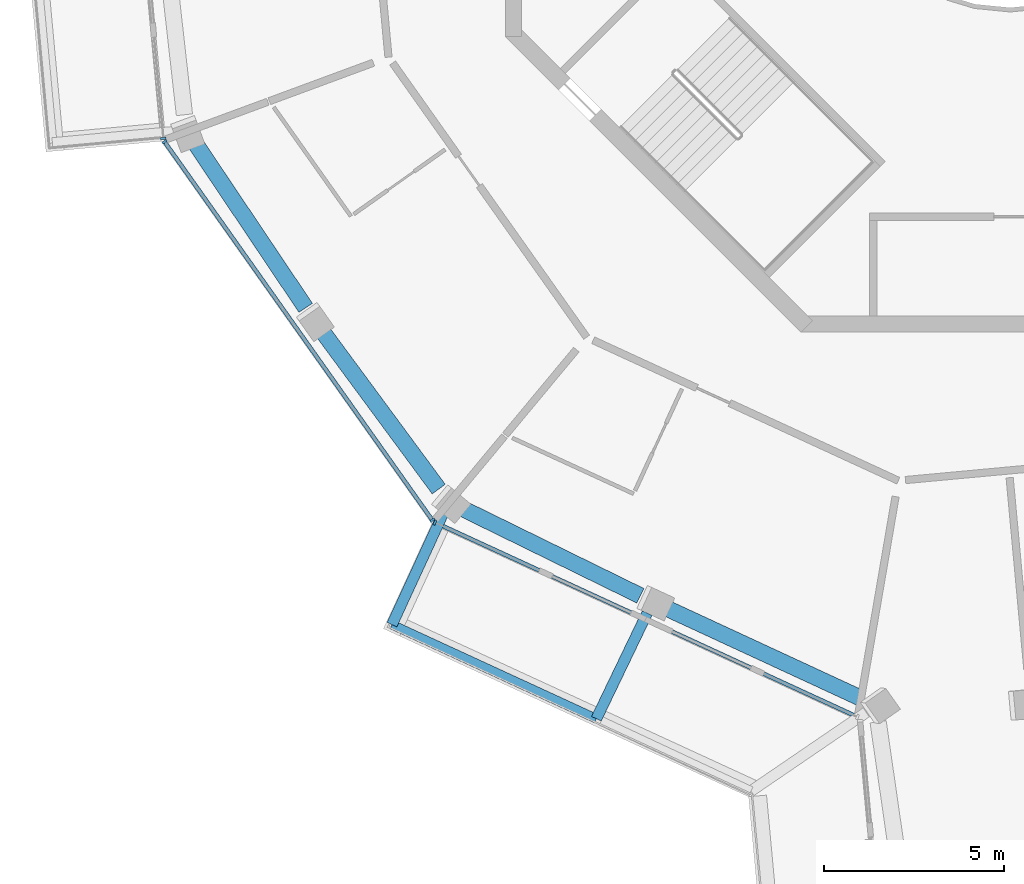
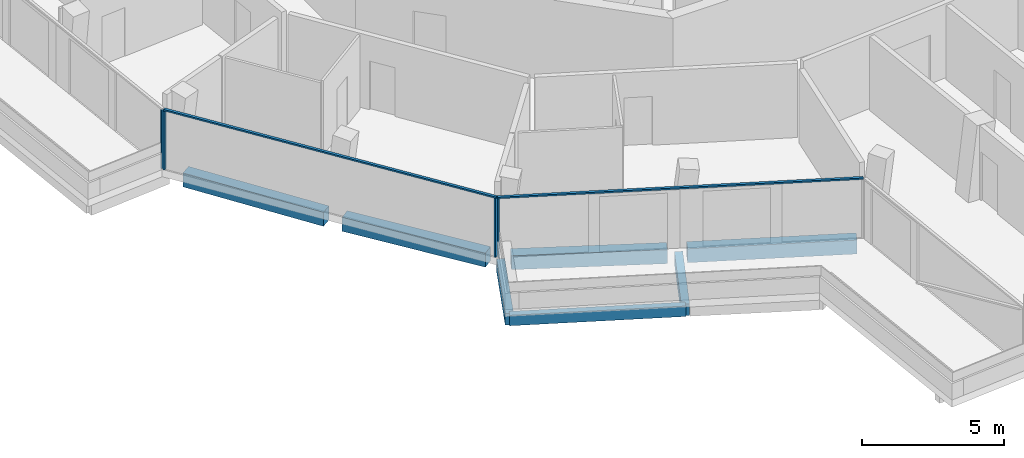
# One storey, part 2 of 25: 7 beams, 6 members, 3 elements without a shape of their own.
"""IFC4 building model written with IfcOpenShell, lengths in metres."""

from ifc_helpers import new_model, si_unit, direction, frame, origin, origin_2d, place, context, subcontext, project, spatial, rectangle, extrude, material, layer, layer_set, material_profile, profile_set, type_object, element, aggregate, save


model = new_model("IFC4")

# Units and contexts
model_context = context("Model", 3, precision=1e-05, world=origin(), true_north=direction((0.0, 1.0)))
body_context = subcontext(model_context, "Body", "Model", "MODEL_VIEW")
ifc_project = project(units=[si_unit("LENGTHUNIT", "METRE"), si_unit("AREAUNIT", "SQUARE_METRE"), si_unit("VOLUMEUNIT", "CUBIC_METRE"), si_unit("PLANEANGLEUNIT", "RADIAN"), si_unit("MASSUNIT", "GRAM", prefix="KILO")], contexts=[model_context])

# Site, building, storey
site_placement = place(None, origin())
site = spatial("IfcSite", under=ifc_project, at=site_placement, CompositionType="ELEMENT")
building_placement = place(site_placement, origin())
building = spatial("IfcBuilding", under=site, at=building_placement, Name="Verdalira Terraces Hotel", CompositionType="ELEMENT")
storey_placement = place(building_placement, frame((0.0, 0.0, 299.5)))
storey = spatial("IfcBuildingStorey", under=building, at=storey_placement, Name="L74", CompositionType="ELEMENT", Elevation=299.5)

# Beams
ifc_material_1 = material(Name="Concrete C40", Category="concrete")
ifc_material_profile_1 = material_profile(ifc_material_1, rectangle(XDim=0.300049, YDim=0.5, at=origin_2d()), Name="RC 300X500")
ifc_profile_set_1 = profile_set([ifc_material_profile_1], Name="Concrete C40")
beam_type_1 = type_object("IfcBeamType", Name="Balcony cantilever beam RC 300X500 C40", PredefinedType="BEAM", material=ifc_profile_set_1)
beam_1_placement = place(storey_placement, frame((-15.73291, -19.040283, -0.560059), z_axis=(-0.418147386, -0.908379196, 0.0), x_axis=(0.908379196, -0.418147386, 0.0)))
element("IfcBeam", 1, at=beam_1_placement, inside=storey, type_object=beam_type_1, Name="Balcony cantilever beam R13-2", PredefinedType="BEAM", context=body_context, shape_type="SweptSolid", body=[
    extrude(rectangle(XDim=0.300049, YDim=0.5, at=origin_2d()), origin(), (0.0, 0.0, 1.0), 3.383545),
])
beam_2_placement = place(storey_placement, frame((-10.069824, -21.794189, -0.560059), z_axis=(-0.433341359, -0.901229863, 0.0), x_axis=(0.901229863, -0.433341359, 0.0)))
element("IfcBeam", 2, at=beam_2_placement, inside=storey, type_object=beam_type_1, Name="Balcony cantilever beam R13-3", PredefinedType="BEAM", context=body_context, shape_type="SweptSolid", body=[
    extrude(rectangle(XDim=0.300049, YDim=0.5, at=origin_2d()), origin(), (0.0, 0.0, 1.0), 3.250732),
])
ifc_material_2 = material(Name="Concrete C40", Category="concrete")
ifc_material_profile_2 = material_profile(ifc_material_2, rectangle(XDim=0.25, YDim=0.449951, at=origin_2d()), Name="RC 250X450")
ifc_profile_set_2 = profile_set([ifc_material_profile_2], Name="Concrete C40")
beam_type_2 = type_object("IfcBeamType", Name="Balcony edge beam RC 250X450 C40", PredefinedType="BEAM", material=ifc_profile_set_2)
beam_3_placement = place(storey_placement, frame((-17.147705, -22.11377, -0.534912), z_axis=(0.908351689, -0.418207136, 0.0), x_axis=(0.418207136, 0.908351689, 0.0)))
element("IfcBeam", 3, at=beam_3_placement, inside=storey, type_object=beam_type_2, Name="Balcony edge beam R13-1", PredefinedType="BEAM", context=body_context, shape_type="SweptSolid", body=[
    extrude(rectangle(XDim=0.25, YDim=0.449951, at=origin_2d()), origin(), (0.0, 0.0, 1.0), 6.241211),
])

# Curtain wall, member
ifc_material_3 = material(Name="Clear glass", Category="glass")
ifc_layer = layer(ifc_material_3, 0.14990234375)
ifc_layer_set = layer_set([ifc_layer], Name="CW1 curtain wall")
curtain_wall_type = type_object("IfcCurtainWallType", Name="CW1 curtain wall", PredefinedType="NOTDEFINED", material=ifc_layer_set)
curtain_wall_1_placement = place(storey_placement, origin())
curtain_wall_1 = element("IfcCurtainWall", 4, at=curtain_wall_1_placement, inside=storey, type_object=curtain_wall_type, Name="CW1 curtain wall L74 edge 11", PredefinedType="NOTDEFINED")
ifc_material_4 = material(Name="Terracotta frame", Category="masonry")
ifc_material_profile_3 = material_profile(ifc_material_4, rectangle(XDim=0.060059, YDim=0.149902, at=origin_2d()), Name="MU 60x150")
ifc_profile_set_3 = profile_set([ifc_material_profile_3], Name="Terracotta frame")
member_type_1 = type_object("IfcMemberType", Name="CW1 mullion 60x150", PredefinedType="MULLION", material=ifc_profile_set_3)
member_1_placement = place(storey_placement, frame((-23.489014, -8.62793, 0.0), z_axis=(0.0, 0.0, 1.0), x_axis=(0.092023008, -0.995756881, 0.0)))
member_1 = element("IfcMember", 5, at=member_1_placement, type_object=member_type_1, Name="CW1 mullion", PredefinedType="MULLION", context=body_context, shape_type="SweptSolid", body=[
    extrude(rectangle(XDim=0.060059, YDim=0.149902, at=origin_2d()), origin(), (0.0, 0.0, 1.0), 2.524902),
])
aggregate(curtain_wall_1, [member_1])

# Curtain wall, members
curtain_wall_2_placement = place(storey_placement, origin())
curtain_wall_2 = element("IfcCurtainWall", 6, at=curtain_wall_2_placement, inside=storey, type_object=curtain_wall_type, Name="CW1 curtain wall L74 edge 12", PredefinedType="NOTDEFINED")
member_2_placement = place(storey_placement, frame((-23.455566, -8.71875, 0.0), z_axis=(0.0, 0.0, 1.0), x_axis=(0.577572703, -0.816339251, 0.0)))
member_2 = element("IfcMember", 7, at=member_2_placement, type_object=member_type_1, Name="CW1 mullion", PredefinedType="MULLION", context=body_context, shape_type="SweptSolid", body=[
    extrude(rectangle(XDim=0.060059, YDim=0.149902, at=origin_2d()), origin(), (0.0, 0.0, 1.0), 2.524902),
])
member_3_placement = place(storey_placement, frame((-16.028076, -19.216553, 0.0), z_axis=(0.0, 0.0, 1.0), x_axis=(0.577572703, -0.816339251, 0.0)))
member_3 = element("IfcMember", 8, at=member_3_placement, type_object=member_type_1, Name="CW1 mullion", PredefinedType="MULLION", context=body_context, shape_type="SweptSolid", body=[
    extrude(rectangle(XDim=0.060059, YDim=0.149902, at=origin_2d()), origin(), (0.0, 0.0, 1.0), 2.524902),
])

# Curtain wall, member
curtain_wall_3_placement = place(storey_placement, origin())
curtain_wall_3 = element("IfcCurtainWall", 9, at=curtain_wall_3_placement, inside=storey, type_object=curtain_wall_type, Name="CW1 curtain wall L74 edge 13", PredefinedType="NOTDEFINED")
member_4_placement = place(storey_placement, frame((-15.953613, -19.27832, 0.0), z_axis=(0.0, 0.0, 1.0), x_axis=(0.908362259, -0.418184178, 0.0)))
member_4 = element("IfcMember", 10, at=member_4_placement, type_object=member_type_1, Name="CW1 mullion", PredefinedType="MULLION", context=body_context, shape_type="SweptSolid", body=[
    extrude(rectangle(XDim=0.060059, YDim=0.149902, at=origin_2d()), origin(), (0.0, 0.0, 1.0), 2.524902),
])

# Member
ifc_material_5 = material(Name="Terracotta frame", Category="masonry")
ifc_material_profile_4 = material_profile(ifc_material_5, rectangle(XDim=0.110107, YDim=0.064941, at=origin_2d()), Name="TR 65x110")
ifc_profile_set_4 = profile_set([ifc_material_profile_4], Name="Terracotta frame")
member_type_2 = type_object("IfcMemberType", Name="CW1 transom 65x110", PredefinedType="USERDEFINED", material=ifc_profile_set_4)
member_5_placement = place(storey_placement, frame((-23.4729, -8.694336, 2.557617), z_axis=(0.577585754, -0.816330017, 0.0), x_axis=(0.816330017, 0.577585754, 0.0)))
member_5 = element("IfcMember", 11, at=member_5_placement, type_object=member_type_2, Name="CW1 transom", ObjectType="TRANSOM", PredefinedType="USERDEFINED", context=body_context, shape_type="SweptSolid", body=[
    extrude(rectangle(XDim=0.110107, YDim=0.064941, at=origin_2d()), origin(), (0.0, 0.0, 1.0), 12.919678),
])

aggregate(curtain_wall_2, [member_2, member_3, member_5])

member_6_placement = place(storey_placement, frame((-15.980957, -19.265869, 2.557617), z_axis=(0.908366965, -0.418173954, 0.0), x_axis=(0.418173954, 0.908366965, 0.0)))
member_6 = element("IfcMember", 12, at=member_6_placement, type_object=member_type_2, Name="CW1 transom", ObjectType="TRANSOM", PredefinedType="USERDEFINED", context=body_context, shape_type="SweptSolid", body=[
    extrude(rectangle(XDim=0.110107, YDim=0.064941, at=origin_2d()), origin(), (0.0, 0.0, 1.0), 12.959717),
])

aggregate(curtain_wall_3, [member_4, member_6])

# Beams
ifc_material_6 = material(Name="Concrete C40", Category="concrete")
ifc_material_profile_5 = material_profile(ifc_material_6, rectangle(XDim=0.449951, YDim=0.600098, at=origin_2d()), Name="RC 450X600")
ifc_profile_set_5 = profile_set([ifc_material_profile_5], Name="Concrete C40")
beam_type_3 = type_object("IfcBeamType", Name="Spandrel beam RC 450X600 C40", PredefinedType="SPANDREL", material=ifc_profile_set_5)
beam_4_placement = place(storey_placement, frame((-22.619385, -8.741455, -0.610107), z_axis=(0.55740024, -0.830243923, 0.0), x_axis=(0.830243923, 0.55740024, 0.0)))
element("IfcBeam", 13, at=beam_4_placement, inside=storey, type_object=beam_type_3, Name="Spandrel beam B06", PredefinedType="SPANDREL", context=body_context, shape_type="SweptSolid", body=[
    extrude(rectangle(XDim=0.449951, YDim=0.600098, at=origin_2d()), origin(), (0.0, 0.0, 1.0), 5.523682),
])
beam_5_placement = place(storey_placement, frame((-19.128662, -13.912109, -0.610107), z_axis=(0.593763013, -0.804639972, 0.0), x_axis=(0.804639972, 0.593763013, 0.0)))
element("IfcBeam", 14, at=beam_5_placement, inside=storey, type_object=beam_type_3, Name="Spandrel beam B07", PredefinedType="SPANDREL", context=body_context, shape_type="SweptSolid", body=[
    extrude(rectangle(XDim=0.449951, YDim=0.600098, at=origin_2d()), origin(), (0.0, 0.0, 1.0), 5.52124),
])
beam_6_placement = place(storey_placement, frame((-15.218262, -18.880127, -0.610107), z_axis=(0.897848097, -0.440305343, 0.0), x_axis=(0.440305343, 0.897848097, 0.0)))
element("IfcBeam", 15, at=beam_6_placement, inside=storey, type_object=beam_type_3, Name="Spandrel beam B08", PredefinedType="SPANDREL", context=body_context, shape_type="SweptSolid", body=[
    extrude(rectangle(XDim=0.449951, YDim=0.600098, at=origin_2d()), origin(), (0.0, 0.0, 1.0), 5.523682),
])
beam_7_placement = place(storey_placement, frame((-9.620117, -21.616699, -0.610107), z_axis=(0.907420164, -0.420224519, 0.0), x_axis=(0.420224519, 0.907420164, 0.0)))
element("IfcBeam", 16, at=beam_7_placement, inside=storey, type_object=beam_type_3, Name="Spandrel beam B09", PredefinedType="SPANDREL", context=body_context, shape_type="SweptSolid", body=[
    extrude(rectangle(XDim=0.449951, YDim=0.600098, at=origin_2d()), origin(), (0.0, 0.0, 1.0), 6.011475),
])

save(model, "model.ifc")
